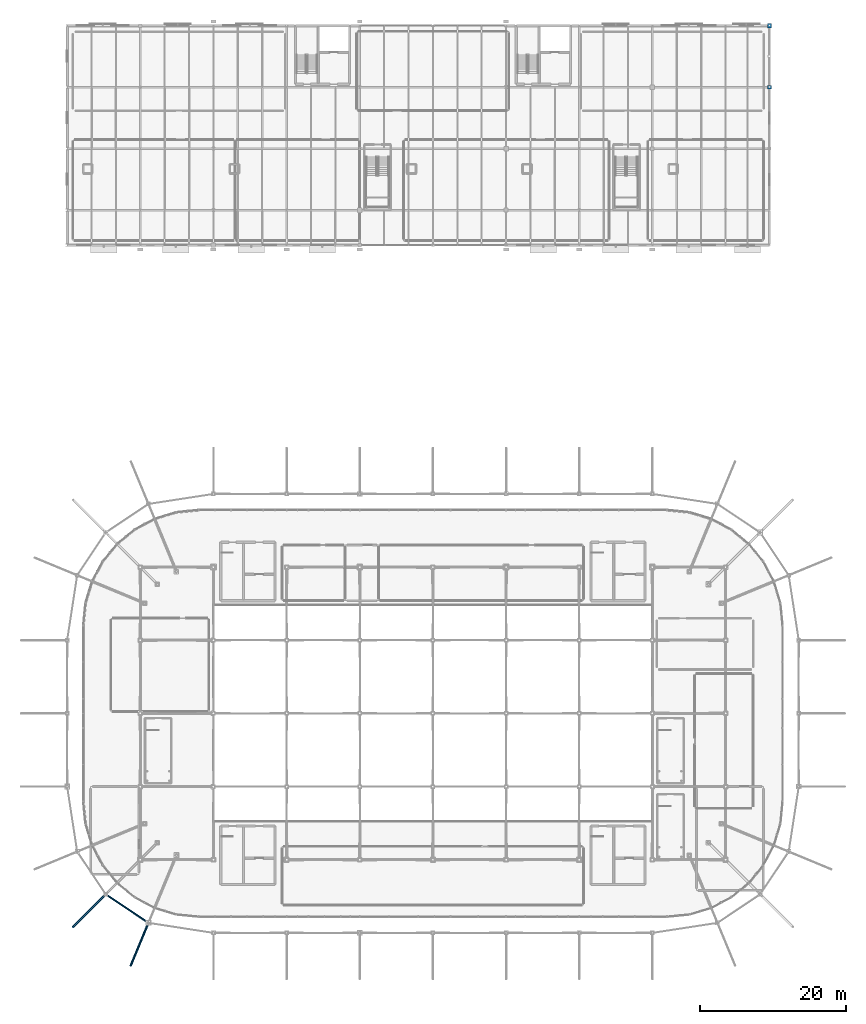
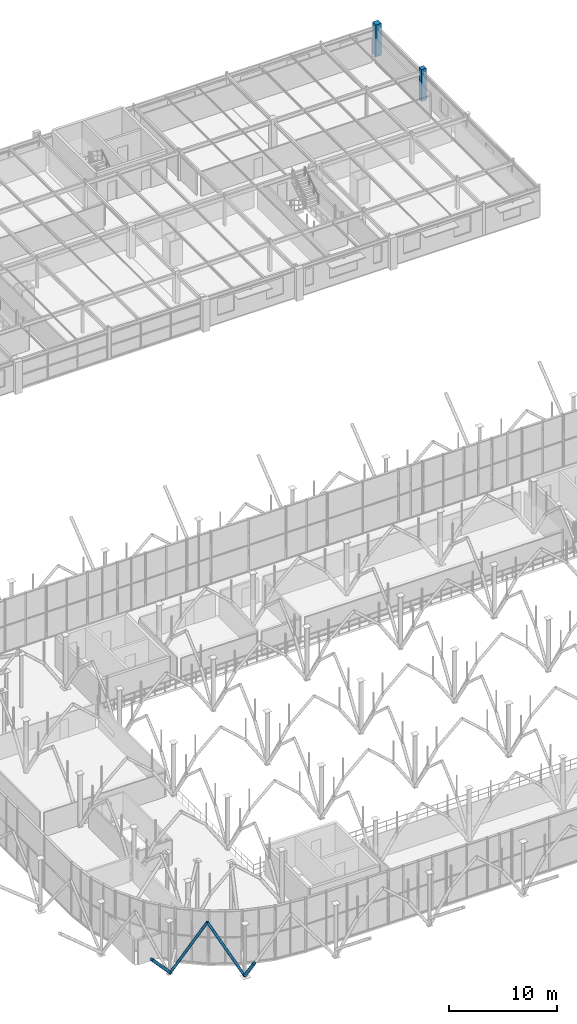
# One storey, part 26 of 109: 4 members, 2 columns.
"""IFC4 building model written with IfcOpenShell, lengths in metres."""

import ifcopenshell
import ifcopenshell.guid

model = None  # the IFC model being written
_history = None  # IfcOwnerHistory: only IFC2X3 demands one
_inside = {}  # id of a spatial element -> (the spatial element, [elements in it])
_under = {}  # id of a project, library or spatial element -> (it, [spatial elements below it])
_declared = {}  # id of a project -> (the project, [libraries it declares])
_typed = {}  # id of a type object -> (the type object, [elements of that type])
_made_of = {}  # id of a material, layer set ... -> (it, [elements and type objects made of it])


def new_model(schema):
    """Start an empty IFC model of exactly this schema.

    Asked for "IFC4X3", IfcOpenShell would pick the latest addendum, in which some entities
    have other attributes; the version numbers below select the first issue.
    IFC2X3 requires an IfcOwnerHistory on every rooted entity: one is made here for all.
    """
    global model, _history
    if schema == "IFC4X3":
        model = ifcopenshell.file(schema_version=(4, 3, 0, 0))
    else:
        model = ifcopenshell.file(schema=schema)
    _inside.clear()
    _under.clear()
    _declared.clear()
    _typed.clear()
    _made_of.clear()
    _history = None
    if model.schema == "IFC2X3":
        org = make("IfcOrganization", Name="unknown")
        user = make(
            "IfcPersonAndOrganization",
            ThePerson=make("IfcPerson", FamilyName="unknown"),
            TheOrganization=org,
        )
        app = make(
            "IfcApplication",
            ApplicationDeveloper=org,
            Version="unknown",
            ApplicationFullName="unknown",
            ApplicationIdentifier="unknown",
        )
        _history = make(
            "IfcOwnerHistory",
            OwningUser=user,
            OwningApplication=app,
            ChangeAction="ADDED",
            CreationDate=0,
        )
    return model


def make(cls, **values):
    """One entity of the class cls with the attributes given. An attribute that is None is left unset."""
    return model.create_entity(
        cls, **{name: value for name, value in values.items() if value is not None}
    )


def rooted(cls, **values):
    """An entity with a GlobalId (a new one), such as an element, a storey or a relation."""
    return make(cls, GlobalId=ifcopenshell.guid.new(), OwnerHistory=_history, **values)


def si_unit(unit_type, name, prefix=None):
    """IfcSIUnit, for example si_unit("LENGTHUNIT", "METRE", prefix="MILLI")."""
    return make("IfcSIUnit", UnitType=unit_type, Prefix=prefix, Name=name)


def derived_unit(unit_type, elements):
    """IfcDerivedUnit: a product of units, each with its exponent."""
    return make(
        "IfcDerivedUnit",
        Elements=[
            make("IfcDerivedUnitElement", Unit=unit, Exponent=power)
            for unit, power in elements
        ],
        UnitType=unit_type,
    )


def assignment(units):
    """IfcUnitAssignment: the units of a project."""
    return None if units is None else make("IfcUnitAssignment", Units=units)


def point(xyz):
    """IfcCartesianPoint."""
    return None if xyz is None else make("IfcCartesianPoint", Coordinates=xyz)


def direction(xyz):
    """IfcDirection."""
    return None if xyz is None else make("IfcDirection", DirectionRatios=xyz)


def frame(location, z_axis=None, x_axis=None):
    """IfcAxis2Placement3D, a coordinate frame: its origin and axes. An axis left out is left unset."""
    return make(
        "IfcAxis2Placement3D",
        Location=point(location),
        Axis=direction(z_axis),
        RefDirection=direction(x_axis),
    )


def frame_2d(location, x_axis=None):
    """IfcAxis2Placement2D, a coordinate frame in the plane: its origin and x axis."""
    return make(
        "IfcAxis2Placement2D", Location=point(location), RefDirection=direction(x_axis)
    )


def origin():
    """The frame at (0, 0, 0) with its axes left unset."""
    return frame((0.0, 0.0, 0.0))


def origin_2d_with_axis():
    """The frame at (0, 0) in the plane with the x axis (1, 0) written out."""
    return frame_2d((0.0, 0.0), x_axis=(1.0, 0.0))


def place(relative_to, where):
    """IfcLocalPlacement: puts the frame where relative to a parent placement (None: the world)."""
    return make(
        "IfcLocalPlacement", PlacementRelTo=relative_to, RelativePlacement=where
    )


def context(
    kind, dimensions, precision=None, world=None, true_north=None, identifier=None
):
    """IfcGeometricRepresentationContext, for example the 3D "Model" context."""
    return make(
        "IfcGeometricRepresentationContext",
        ContextIdentifier=identifier,
        ContextType=kind,
        CoordinateSpaceDimension=dimensions,
        Precision=precision,
        WorldCoordinateSystem=world,
        TrueNorth=true_north,
    )


def subcontext(parent, identifier, kind, view, scale=None):
    """IfcGeometricRepresentationSubContext, for example "Body" below "Model"."""
    return make(
        "IfcGeometricRepresentationSubContext",
        ContextIdentifier=identifier,
        ContextType=kind,
        ParentContext=parent,
        TargetScale=scale,
        TargetView=view,
    )


def project(units=None, contexts=None):
    """IfcProject with its units and contexts."""
    return rooted(
        "IfcProject",
        Name="project",
        RepresentationContexts=contexts,
        UnitsInContext=assignment(units),
    )


def spatial(cls, under=None, at=None, **own):
    """A site, building, storey or space (cls), placed at a placement, below another one or the project."""
    s = rooted(cls, ObjectPlacement=at, **own)
    if under is not None:
        _under.setdefault(under.id(), (under, []))[1].append(s)
    return s


def profile(cls, at=None, kind="AREA", **sizes):
    """A parametric profile (cls). Its sizes go by their IFC names, for example OverallWidth=200.0."""
    return make(cls, ProfileType=kind, Position=at, **sizes)


def rectangle(**sizes):
    """IfcRectangleProfileDef."""
    return profile("IfcRectangleProfileDef", **sizes)


def hollow_circle(**sizes):
    """IfcCircleHollowProfileDef."""
    return profile("IfcCircleHollowProfileDef", **sizes)


def extrude(swept, where, along, depth):
    """IfcExtrudedAreaSolid: the profile swept, set in the frame where, extruded along a direction by depth."""
    return make(
        "IfcExtrudedAreaSolid",
        SweptArea=swept,
        Position=where,
        ExtrudedDirection=direction(along),
        Depth=depth,
    )


def shape(context_of_items, identifier, shape_type, items):
    """IfcShapeRepresentation: the items that make up one representation, for example the "Body"."""
    return make(
        "IfcShapeRepresentation",
        ContextOfItems=context_of_items,
        RepresentationIdentifier=identifier,
        RepresentationType=shape_type,
        Items=items,
    )


def material(Name=None, Category=None):
    """IfcMaterial."""
    return make("IfcMaterial", Name=Name, Category=Category)


def material_profile(
    of_material, cross_section, Name=None, Category=None, Priority=None
):
    """IfcMaterialProfile: a cross section and its material."""
    return make(
        "IfcMaterialProfile",
        Name=Name,
        Material=of_material,
        Profile=cross_section,
        Priority=Priority,
        Category=Category,
    )


def profile_set(profiles, Name=None, composite=None):
    """IfcMaterialProfileSet."""
    return make(
        "IfcMaterialProfileSet",
        Name=Name,
        MaterialProfiles=profiles,
        CompositeProfile=composite,
    )


def made_of(thing, what):
    """Note that an element or type object is made of a material, layer set ...; save() writes the relation."""
    if what is not None:
        _made_of.setdefault(what.id(), (what, []))[1].append(thing)
    return thing


def type_object(cls, material=None, **own):
    """A type object (cls), such as IfcWallType, which elements share."""
    return made_of(rooted(cls, **own), material)


def element(
    cls,
    number,
    at=None,
    inside=None,
    cuts=None,
    type_object=None,
    material=None,
    context=None,
    identifier="Body",
    shape_type=None,
    held_by="IfcProductDefinitionShape",
    body=None,
    shapes=None,
    **own,
):
    """One element of the class cls, such as IfcWall. Its Tag is "e" and its number.

    at: its placement. inside: the storey or other place that contains it. cuts: it is an
    opening in that element (IfcRelVoidsElement). A single representation is given by context,
    identifier, shape_type and body (its items); several are given by shapes. held_by: the class
    of the entity that holds the representations. save() writes the other relations.
    """
    e = rooted(cls, Tag="e%d" % number, ObjectPlacement=at, **own)
    if body is not None:
        shapes = [shape(context, identifier, shape_type, body)]
    if shapes is not None:
        e.Representation = make(held_by, Representations=shapes)
    if inside is not None:
        _inside.setdefault(inside.id(), (inside, []))[1].append(e)
    if cuts is not None:
        rooted(
            "IfcRelVoidsElement", RelatingBuildingElement=cuts, RelatedOpeningElement=e
        )
    if type_object is not None:
        _typed.setdefault(type_object.id(), (type_object, []))[1].append(e)
    return made_of(e, material)


def aggregate(whole, parts):
    """IfcRelAggregates: a whole, such as a stair, and the parts it consists of."""
    return rooted("IfcRelAggregates", RelatingObject=whole, RelatedObjects=parts)


def save(model, path):
    """Write the relations noted so far, then the file.

    IfcRelAggregates (storeys below a building ...), IfcRelContainedInSpatialStructure (elements
    in a storey), IfcRelDefinesByType, IfcRelAssociatesMaterial and IfcRelDeclares: one each for
    every whole, place, type object, material and project.
    """
    for whole, parts in _under.values():
        aggregate(whole, parts)
    for where, things in _inside.values():
        rooted(
            "IfcRelContainedInSpatialStructure",
            RelatedElements=things,
            RelatingStructure=where,
        )
    for kind, things in _typed.values():
        rooted("IfcRelDefinesByType", RelatedObjects=things, RelatingType=kind)
    for what, things in _made_of.values():
        rooted("IfcRelAssociatesMaterial", RelatedObjects=things, RelatingMaterial=what)
    for by, libraries in _declared.values():
        rooted("IfcRelDeclares", RelatingContext=by, RelatedDefinitions=libraries)
    model.write(path)


model = new_model("IFC4")

# Units and contexts
model_context = context("Model", 3, precision=1e-05, world=origin(), true_north=direction((0.0, 1.0)))
body_context = subcontext(model_context, "Body", "Model", "MODEL_VIEW")
ifc_project = project(units=[si_unit("LENGTHUNIT", "METRE"), si_unit("AREAUNIT", "SQUARE_METRE"), si_unit("VOLUMEUNIT", "CUBIC_METRE"), si_unit("PLANEANGLEUNIT", "RADIAN"), si_unit("MASSUNIT", "GRAM", prefix="KILO"), derived_unit("THERMALTRANSMITTANCEUNIT", [(si_unit("POWERUNIT", "WATT"), 1), (si_unit("LENGTHUNIT", "METRE"), -2), (si_unit("THERMODYNAMICTEMPERATUREUNIT", "KELVIN"), -1)])], contexts=[model_context])

# Site, building, storey
site_placement = place(None, origin())
site = spatial("IfcSite", under=ifc_project, at=site_placement, CompositionType="ELEMENT")
building_placement = place(site_placement, origin())
building = spatial("IfcBuilding", under=site, at=building_placement, Name="Cinnabar Yard Market Hall", CompositionType="ELEMENT")
storey_placement = place(building_placement, frame((0.0, 0.0, 8.39990234375)))
storey = spatial("IfcBuildingStorey", under=building, at=storey_placement, Name="L02", CompositionType="ELEMENT", Elevation=8.39990234375)

# Columns
ifc_material_1 = material(Name="Concrete 40 MPa", Category="concrete")
ifc_material_profile_1 = material_profile(ifc_material_1, rectangle(XDim=0.5, YDim=0.5, at=origin_2d_with_axis()), Name="RC-500x500")
ifc_profile_set_1 = profile_set([ifc_material_profile_1], Name="Concrete 40 MPa")
column_type_1 = type_object("IfcColumnType", Name="COL-RC1E", PredefinedType="COLUMN", material=ifc_profile_set_1)
column_1_placement = place(storey_placement, frame((162.0, 129.60009765625, 0.0), z_axis=(0.0, 0.0, 1.0), x_axis=(1.0, 0.0, 0.0)))
element("IfcColumn", 1, at=column_1_placement, inside=storey, type_object=column_type_1, Name="Wing Column V3-11-04 L02", PredefinedType="COLUMN", context=body_context, shape_type="SweptSolid", body=[
    extrude(rectangle(XDim=0.5, YDim=0.5, at=origin_2d_with_axis()), origin(), (0.0, 0.0, 1.0), 3.60009765625),
])
ifc_material_profile_2 = material_profile(ifc_material_1, rectangle(XDim=0.60009765625, YDim=0.60009765625, at=origin_2d_with_axis()), Name="RC-600x600")
ifc_profile_set_2 = profile_set([ifc_material_profile_2], Name="Concrete 40 MPa")
column_type_2 = type_object("IfcColumnType", Name="COL-RC2E", PredefinedType="COLUMN", material=ifc_profile_set_2)
column_2_placement = place(storey_placement, frame((162.0, 138.0, 0.0), z_axis=(0.0, 0.0, 1.0), x_axis=(1.0, 0.0, 0.0)))
element("IfcColumn", 2, at=column_2_placement, inside=storey, type_object=column_type_2, Name="Wing Column V3-11-05 L02", PredefinedType="COLUMN", context=body_context, shape_type="SweptSolid", body=[
    extrude(rectangle(XDim=0.60009765625, YDim=0.60009765625, at=origin_2d_with_axis()), origin(), (0.0, 0.0, 1.0), 3.60009765625),
])

# Members
ifc_material_2 = material(Name="Spotted-gum glulam-clad steel Grade 350 (350 MPa)", Category="steel")
ifc_material_profile_3 = material_profile(ifc_material_2, hollow_circle(Radius=0.136474609375, WallThickness=0.00927734375, at=origin_2d_with_axis()), Name="273.1x9.3CHS")
ifc_profile_set_3 = profile_set([ifc_material_profile_3], Name="Spotted-gum glulam-clad steel Grade 350 (350 MPa)")
member_type_1 = type_object("IfcMemberType", Name="MB-AR01E", PredefinedType="USERDEFINED", material=ifc_profile_set_3)
for number, where, z_axis, x_axis, name in (
    (3, (71.272216796875, 19.272216796875, 0.0), (0.421016968363, -0.281358609512, 0.862312034709), (0.555630392257, 0.831429412037, 0.0), "Corner Pointed Arch SW 3A"),
    (4, (77.11181640625, 15.3701171875, 0.0), (-0.42105010271, 0.281322020966, 0.862307793962), (-0.555550213974, -0.831482988253, 0.0), "Corner Pointed Arch SW 3B"),
):
    element("IfcMember", number, at=place(storey_placement, frame(where, z_axis=z_axis, x_axis=x_axis)), inside=storey, type_object=member_type_1, Name=name, ObjectType="ARCH RIB", PredefinedType="USERDEFINED", context=body_context, shape_type="SweptSolid", body=[
        extrude(hollow_circle(Radius=0.136474609375, WallThickness=0.00927734375, at=origin_2d_with_axis()), origin(), (0.0, 0.0, 1.0), 6.934814453125),
    ])
ifc_material_profile_4 = material_profile(ifc_material_2, hollow_circle(Radius=0.161865234375, WallThickness=0.009521484375, at=origin_2d_with_axis()), Name="323.9x9.5CHS")
ifc_profile_set_4 = profile_set([ifc_material_profile_4], Name="Spotted-gum glulam-clad steel Grade 350 (350 MPa)")
member_type_2 = type_object("IfcMemberType", Name="MB-ST01E", PredefinedType="STRUT", material=ifc_profile_set_4)
for number, where, z_axis, x_axis, name in (
    (5, (71.272216796875, 19.272216796875, 0.2001953125), (-0.525842817771, -0.525842817771, 0.668564628138), (0.707106781187, -0.707106781187, 0.0), "Corner Chhajja Bracket Arm SW-4"),
    (6, (77.11181640625, 15.3701171875, 0.2001953125), (-0.284586831322, -0.68704037604, 0.668570009145), (0.923876970079, -0.382689618566, 0.0), "Corner Chhajja Bracket Arm SW-6"),
):
    element("IfcMember", number, at=place(storey_placement, frame(where, z_axis=z_axis, x_axis=x_axis)), inside=storey, type_object=member_type_2, Name=name, PredefinedType="STRUT", context=body_context, shape_type="SweptSolid", body=[
        extrude(hollow_circle(Radius=0.161865234375, WallThickness=0.009521484375, at=origin_2d_with_axis()), origin(), (0.0, 0.0, 1.0), 8.525634765625),
    ])

save(model, "model.ifc")
